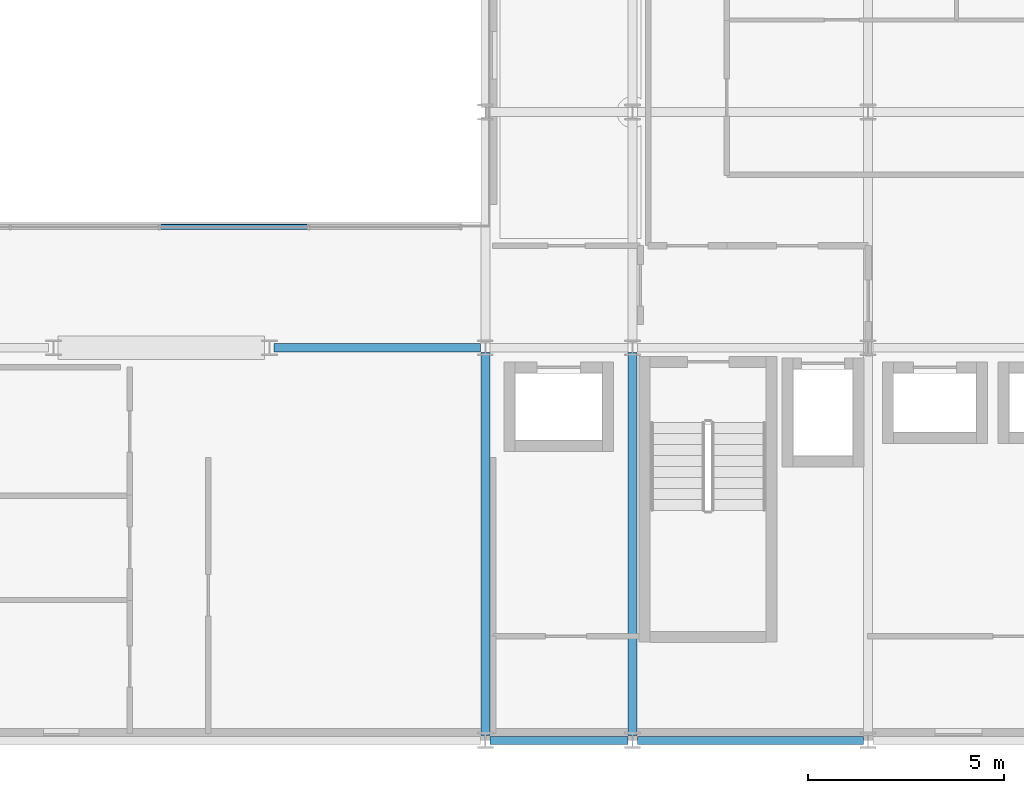
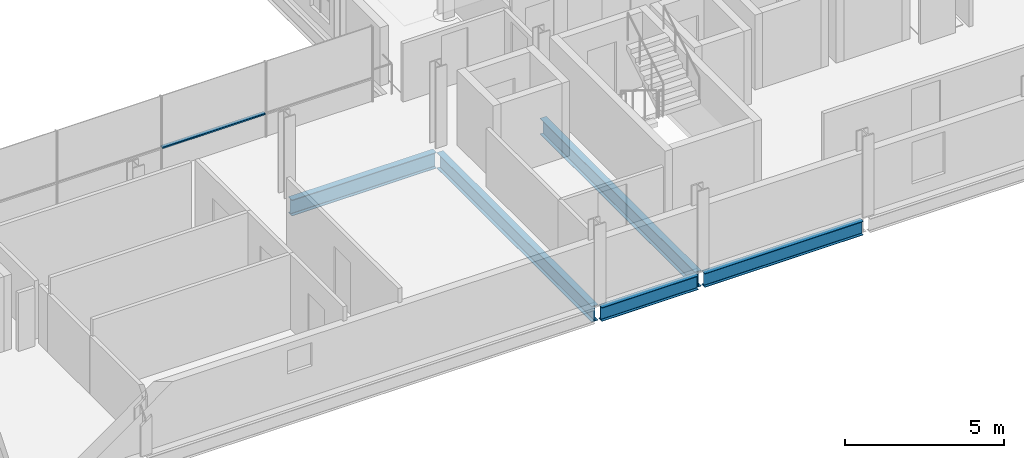
# One storey, part 14 of 38: 5 beams, 1 member, 1 element without a shape of its own.
"""IFC4 building model written with IfcOpenShell, lengths in metres."""

from ifc_helpers import new_model, si_unit, direction, frame, origin, origin_2d, place, context, subcontext, project, spatial, hollow_rectangle, i_section, extrude, material, layer, layer_set, material_profile, profile_set, type_object, element, aggregate, save


model = new_model("IFC4")

# Units and contexts
model_context = context("Model", 3, precision=1e-05, world=origin(), true_north=direction((0.0, 1.0)))
body_context = subcontext(model_context, "Body", "Model", "MODEL_VIEW")
ifc_project = project(units=[si_unit("LENGTHUNIT", "METRE"), si_unit("AREAUNIT", "SQUARE_METRE"), si_unit("VOLUMEUNIT", "CUBIC_METRE"), si_unit("PLANEANGLEUNIT", "RADIAN"), si_unit("MASSUNIT", "GRAM", prefix="KILO")], contexts=[model_context])

# Site, building, storey
site_placement = place(None, origin())
site = spatial("IfcSite", under=ifc_project, at=site_placement, CompositionType="ELEMENT")
building_placement = place(site_placement, origin())
building = spatial("IfcBuilding", under=site, at=building_placement, Name="Brevholm Reach", CompositionType="ELEMENT")
storey_placement = place(building_placement, frame((0.0, 0.0, 141.800048828125)))
storey = spatial("IfcBuildingStorey", under=building, at=storey_placement, Name="L42", CompositionType="ELEMENT", Elevation=141.800048828125)

# Beams
ifc_material_1 = material(Name="Structural Steel S355J2", Category="steel")
ifc_material_profile_1 = material_profile(ifc_material_1, i_section(OverallWidth=0.209228515625, OverallDepth=0.533203125, WebThickness=0.010009765625, FlangeThickness=0.015625, FilletRadius=0.0126953125, at=origin_2d()), Name="UKB 533x210x92")
ifc_profile_set_1 = profile_set([ifc_material_profile_1], Name="Structural Steel S355J2")
beam_type_1 = type_object("IfcBeamType", Name="BM-SP533", PredefinedType="SPANDREL", material=ifc_profile_set_1)
beam_1_placement = place(storey_placement, frame((38.3701171875, 0.0, -0.486572265625), z_axis=(1.0, 0.0, 0.0), x_axis=(0.0, 1.0, 0.0)))
element("IfcBeam", 1, at=beam_1_placement, inside=storey, type_object=beam_type_1, Name="L42 SP-02 Framing Beam", PredefinedType="SPANDREL", context=body_context, shape_type="SweptSolid", body=[
    extrude(i_section(OverallWidth=0.209228515625, OverallDepth=0.533203125, WebThickness=0.010009765625, FlangeThickness=0.015625, FilletRadius=0.0126953125, at=origin_2d()), origin(), (0.0, 0.0, 1.0), 3.509765625),
])
beam_2_placement = place(storey_placement, frame((42.1201171875, 0.0, -0.486572265625), z_axis=(1.0, 0.0, 0.0), x_axis=(0.0, 1.0, 0.0)))
element("IfcBeam", 2, at=beam_2_placement, inside=storey, type_object=beam_type_1, Name="L42 SP-02 Framing Beam", PredefinedType="SPANDREL", context=body_context, shape_type="SweptSolid", body=[
    extrude(i_section(OverallWidth=0.209228515625, OverallDepth=0.533203125, WebThickness=0.010009765625, FlangeThickness=0.015625, FilletRadius=0.0126953125, at=origin_2d()), origin(), (0.0, 0.0, 1.0), 5.759765625),
])
ifc_material_2 = material(Name="Structural Steel S355J2", Category="steel")
ifc_material_profile_2 = material_profile(ifc_material_2, i_section(OverallWidth=0.22900390625, OverallDepth=0.6123046875, WebThickness=0.011962890625, FlangeThickness=0.01953125, FilletRadius=0.0126953125, at=origin_2d()), Name="UKB 610x229x125")
ifc_profile_set_2 = profile_set([ifc_material_profile_2], Name="Structural Steel S355J2")
beam_type_2 = type_object("IfcBeamType", Name="BM-SP610", PredefinedType="SPANDREL", material=ifc_profile_set_2)
beam_3_placement = place(storey_placement, frame((32.8701171875, 10.0, -0.526123046875), z_axis=(1.0, 0.0, 0.0), x_axis=(0.0, 1.0, 0.0)))
element("IfcBeam", 3, at=beam_3_placement, inside=storey, type_object=beam_type_2, Name="L42 SP-01 Framing Beam", PredefinedType="SPANDREL", context=body_context, shape_type="SweptSolid", body=[
    extrude(i_section(OverallWidth=0.22900390625, OverallDepth=0.6123046875, WebThickness=0.011962890625, FlangeThickness=0.01953125, FilletRadius=0.0126953125, at=origin_2d()), origin(), (0.0, 0.0, 1.0), 5.259765625),
])
for number, where, z_axis, x_axis, name in (
    (4, (38.25, 0.1201171875, -0.526123046875), (0.0, 1.0, 0.0), (-1.0, 0.0, 0.0), "L42 SP-01 Framing Beam"),
    (5, (42.0, 0.1201171875, -0.526123046875), (0.0, 1.0, 0.0), (-1.0, 0.0, 0.0), "L42 SP-01 Framing Beam"),
):
    element("IfcBeam", number, at=place(storey_placement, frame(where, z_axis=z_axis, x_axis=x_axis)), inside=storey, type_object=beam_type_2, Name=name, PredefinedType="SPANDREL", context=body_context, shape_type="SweptSolid", body=[
        extrude(i_section(OverallWidth=0.22900390625, OverallDepth=0.6123046875, WebThickness=0.011962890625, FlangeThickness=0.01953125, FilletRadius=0.0126953125, at=origin_2d()), origin(), (0.0, 0.0, 1.0), 9.759765625),
    ])

# Curtain wall, member
ifc_material_3 = material(Name="Dark Anodised Aluminium 6063-T6 and Solar-Control Glass", Category="aluminium")
ifc_layer = layer(ifc_material_3, 0.139892578125)
ifc_layer_set = layer_set([ifc_layer], Name="Dark Anodised Aluminium 6063-T6 and Solar-Control Glass")
curtain_wall_type = type_object("IfcCurtainWallType", Name="CW-02", PredefinedType="NOTDEFINED", material=ifc_layer_set)
curtain_wall_placement = place(storey_placement, origin())
curtain_wall = element("IfcCurtainWall", 6, at=curtain_wall_placement, inside=storey, type_object=curtain_wall_type, Name="L42 Curtain Wall CW-02", PredefinedType="NOTDEFINED")
ifc_material_4 = material(Name="Dark Anodised Aluminium 6063-T6", Category="aluminium")
ifc_material_profile_3 = material_profile(ifc_material_4, hollow_rectangle(XDim=0.06005859375, YDim=0.139892578125, WallThickness=0.0048828125, InnerFilletRadius=0.0048828125, OuterFilletRadius=0.010009765625, at=origin_2d()), Name="RHS 140x60x5")
ifc_profile_set_3 = profile_set([ifc_material_profile_3], Name="Dark Anodised Aluminium 6063-T6")
member_type = type_object("IfcMemberType", Name="CWT-140", PredefinedType="NOTDEFINED", material=ifc_profile_set_3)
member_placement = place(storey_placement, frame((29.97998046875, 13.080078125, 0.89990234375), z_axis=(1.0, 0.0, 0.0), x_axis=(0.0, 0.0, 1.0)))
member = element("IfcMember", 7, at=member_placement, type_object=member_type, Name="CT-140 Transom 3.1", ObjectType="TRANSOM", PredefinedType="USERDEFINED", context=body_context, shape_type="SweptSolid", body=[
    extrude(hollow_rectangle(XDim=0.06005859375, YDim=0.139892578125, WallThickness=0.0048828125, InnerFilletRadius=0.0048828125, OuterFilletRadius=0.010009765625, at=origin_2d()), origin(), (0.0, 0.0, 1.0), 3.739990234375),
])
aggregate(curtain_wall, [member])

save(model, "model.ifc")
